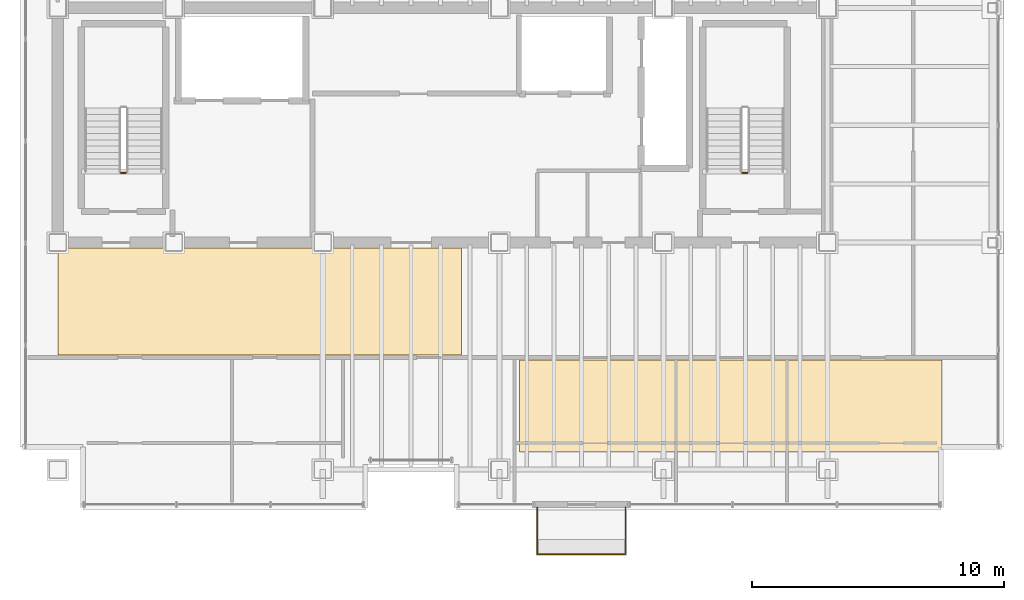
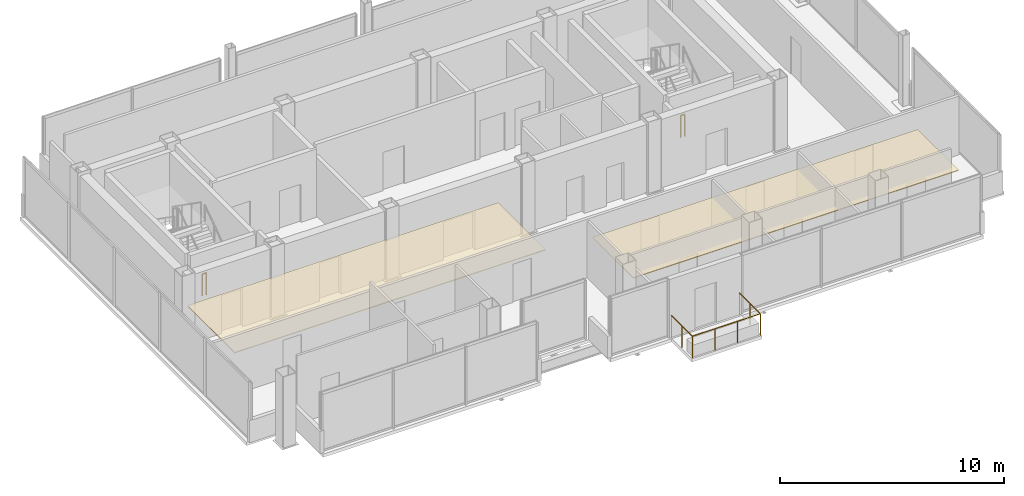
# One storey, part 16 of 17: 3 railings, 2 coverings.
"""IFC4 building model written with IfcOpenShell, lengths in metres."""

from ifc_helpers import new_model, si_unit, direction, frame, origin, origin_2d, place, context, subcontext, project, spatial, polyline, circle, outline, extrude, material, layer, layer_set, type_object, element, save


model = new_model("IFC4")

# Units and contexts
model_context = context("Model", 3, precision=1e-05, world=origin(), true_north=direction((0.0, 1.0)))
body_context = subcontext(model_context, "Body", "Model", "MODEL_VIEW")
ifc_project = project(units=[si_unit("LENGTHUNIT", "METRE"), si_unit("AREAUNIT", "SQUARE_METRE"), si_unit("VOLUMEUNIT", "CUBIC_METRE"), si_unit("PLANEANGLEUNIT", "RADIAN"), si_unit("MASSUNIT", "GRAM", prefix="KILO")], contexts=[model_context])

# Site, building, storey
site_placement = place(None, origin())
site = spatial("IfcSite", under=ifc_project, at=site_placement, CompositionType="ELEMENT")
building_placement = place(site_placement, origin())
building = spatial("IfcBuilding", under=site, at=building_placement, Name="Noeulbin Bourse Tower", CompositionType="ELEMENT")
storey_placement = place(building_placement, frame((0.0, 0.0, 289.10009765625)))
storey = spatial("IfcBuildingStorey", under=building, at=storey_placement, Name="L72", CompositionType="ELEMENT", Elevation=289.10009765625)

# Coverings
ifc_material_1 = material(Name="Perforated Mineral-Fibre Acoustic Tile")
ifc_layer_1 = layer(ifc_material_1, 0.0400390625)
ifc_layer_set_1 = layer_set([ifc_layer_1], Name="Perforated Mineral-Fibre Acoustic Tile")
covering_type_1 = type_object("IfcCoveringType", Name="COV-CEIL-ACT", PredefinedType="CEILING", material=ifc_layer_set_1)
covering_1_placement = place(storey_placement, frame((0.0, 0.0, 2.10986328125)))
element("IfcCovering", 1, at=covering_1_placement, inside=storey, type_object=covering_type_1, Name="Trading Suite Acoustic Ceiling L72", PredefinedType="CEILING", context=body_context, shape_type="SweptSolid", body=[
    extrude(outline(polyline([(31.800048828125, 20.699951171875), (48.550048828125, 20.699951171875), (48.550048828125, 24.35009765625), (31.800048828125, 24.35009765625), (31.800048828125, 20.699951171875)])), origin(), (0.0, 0.0, 1.0), 0.0400390625),
])
ifc_material_2 = material(Name="Linear Anodised Aluminium Baffle Ceiling", Category="aluminium")
ifc_layer_2 = layer(ifc_material_2, 0.050048828125)
ifc_layer_set_2 = layer_set([ifc_layer_2], Name="Linear Anodised Aluminium Baffle Ceiling")
covering_type_2 = type_object("IfcCoveringType", Name="COV-CEIL-MTL", PredefinedType="CEILING", material=ifc_layer_set_2)
covering_2_placement = place(storey_placement, frame((0.0, 0.0, 2.10986328125)))
element("IfcCovering", 2, at=covering_2_placement, inside=storey, type_object=covering_type_2, Name="Corridor Suspended Ceiling L72", PredefinedType="CEILING", context=body_context, shape_type="SweptSolid", body=[
    extrude(outline(polyline([(13.5, 24.550048828125), (29.5, 24.550048828125), (29.5, 28.780029296875), (13.5, 28.780029296875), (13.5, 24.550048828125)])), origin(), (0.0, 0.0, 1.0), 0.0400390625),
])

# Railings
ifc_material_3 = material(Name="Laminated SentryGlas and Stainless Steel 316", Category="steel")
ifc_layer_3 = layer(ifc_material_3, 0.06005859375)
ifc_layer_set_3 = layer_set([ifc_layer_3], Name="Laminated SentryGlas and Stainless Steel 316")
railing_type_1 = type_object("IfcRailingType", Name="RLG-BAL-1200", PredefinedType="BALUSTRADE", material=ifc_layer_set_3)
railing_1_placement = place(storey_placement, frame((32.5, 18.52001953125, 0.0)))
element("IfcRailing", 3, at=railing_1_placement, inside=storey, type_object=railing_type_1, Name="Tree-Balcony Glazed Balustrade L72", PredefinedType="BALUSTRADE", context=body_context, shape_type="SweptSolid", body=[
    extrude(circle(Radius=0.02392578125, at=origin_2d()), frame((0.0, 0.0, 1.17578125), z_axis=(0.0, -1.0, 0.0), x_axis=(1.0, 0.0, 0.0)), (0.0, 0.0, 1.0), 1.8701171875),
    extrude(circle(Radius=0.02392578125, at=origin_2d()), frame((0.0, -1.8701171875, 1.17578125), z_axis=(1.0, 0.0, 0.0), x_axis=(0.0, 1.0, 0.0)), (0.0, 0.0, 1.0), 3.5),
    extrude(circle(Radius=0.02392578125, at=origin_2d()), frame((3.5, -1.8701171875, 1.17578125), z_axis=(0.0, 1.0, 0.0), x_axis=(-1.0, 0.0, 0.0)), (0.0, 0.0, 1.0), 1.8701171875),
    extrude(circle(Radius=0.02099609375, at=origin_2d()), origin(), (0.0, 0.0, 1.0), 1.15185546875),
    extrude(circle(Radius=0.02099609375, at=origin_2d()), frame((0.0, -0.93505859375, 0.0)), (0.0, 0.0, 1.0), 1.15185546875),
    extrude(circle(Radius=0.02099609375, at=origin_2d()), frame((0.0, -1.8701171875, 0.0)), (0.0, 0.0, 1.0), 1.15185546875),
    extrude(circle(Radius=0.02099609375, at=origin_2d()), frame((1.166748046875, -1.8701171875, 0.0)), (0.0, 0.0, 1.0), 1.15185546875),
    extrude(circle(Radius=0.02099609375, at=origin_2d()), frame((2.333251953125, -1.8701171875, 0.0)), (0.0, 0.0, 1.0), 1.15185546875),
    extrude(circle(Radius=0.02099609375, at=origin_2d()), frame((3.5, -1.8701171875, 0.0)), (0.0, 0.0, 1.0), 1.15185546875),
    extrude(circle(Radius=0.02099609375, at=origin_2d()), frame((3.5, -0.93505859375, 0.0)), (0.0, 0.0, 1.0), 1.15185546875),
    extrude(circle(Radius=0.02099609375, at=origin_2d()), frame((3.5, 0.0, 0.0)), (0.0, 0.0, 1.0), 1.15185546875),
])
ifc_material_4 = material(Name="Painted Tubular Steel S355", Category="steel")
ifc_layer_4 = layer(ifc_material_4, 0.048095703125)
ifc_layer_set_4 = layer_set([ifc_layer_4], Name="Painted Tubular Steel S355")
railing_type_2 = type_object("IfcRailingType", Name="RLG-STR-GRD", PredefinedType="GUARDRAIL", material=ifc_layer_set_4)
railing_2_placement = place(storey_placement, frame((16.199951171875, 31.760009765625, 0.0)))
element("IfcRailing", 4, at=railing_2_placement, inside=storey, type_object=railing_type_2, Name="L72 ST-1 stair guard 4", PredefinedType="GUARDRAIL", context=body_context, shape_type="SweptSolid", body=[
    extrude(circle(Radius=0.02392578125, at=origin_2d()), frame((0.0, 0.0, 1.17578125), z_axis=(-1.0, 0.0, 0.0), x_axis=(0.0, -1.0, 0.0)), (0.0, 0.0, 1.0), 0.199951171875),
    extrude(circle(Radius=0.02099609375, at=origin_2d()), origin(), (0.0, 0.0, 1.0), 1.15185546875),
    extrude(circle(Radius=0.02099609375, at=origin_2d()), frame((-0.199951171875, 0.0, 0.0)), (0.0, 0.0, 1.0), 1.15185546875),
])
railing_3_placement = place(storey_placement, frame((40.830078125, 31.760009765625, 0.0)))
element("IfcRailing", 5, at=railing_3_placement, inside=storey, type_object=railing_type_2, Name="L72 ST-2 stair guard 4", PredefinedType="GUARDRAIL", context=body_context, shape_type="SweptSolid", body=[
    extrude(circle(Radius=0.02392578125, at=origin_2d()), frame((0.0, 0.0, 1.17578125), z_axis=(-1.0, 0.0, 0.0), x_axis=(0.0, -1.0, 0.0)), (0.0, 0.0, 1.0), 0.2001953125),
    extrude(circle(Radius=0.02099609375, at=origin_2d()), origin(), (0.0, 0.0, 1.0), 1.15185546875),
    extrude(circle(Radius=0.02099609375, at=origin_2d()), frame((-0.2001953125, 0.0, 0.0)), (0.0, 0.0, 1.0), 1.15185546875),
])

save(model, "model.ifc")
